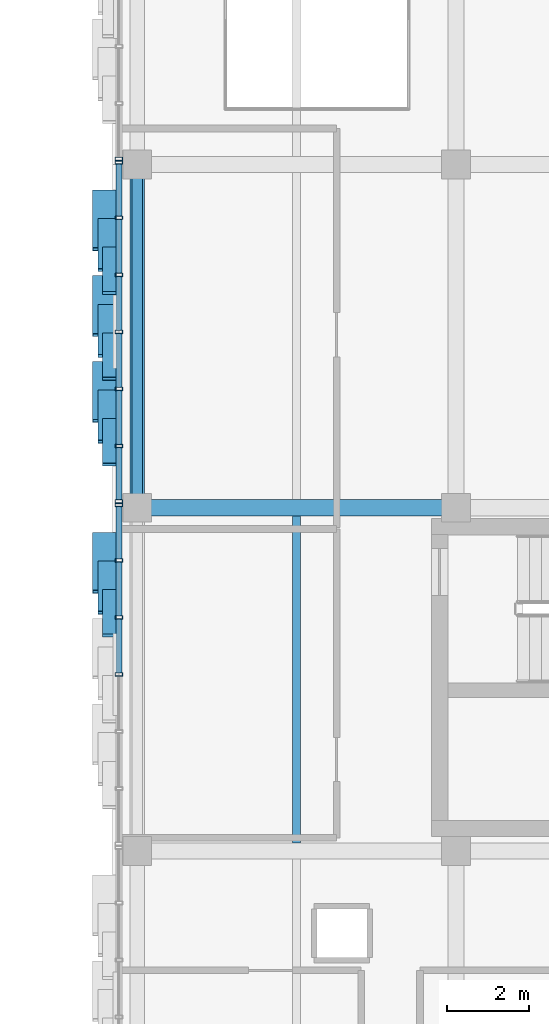
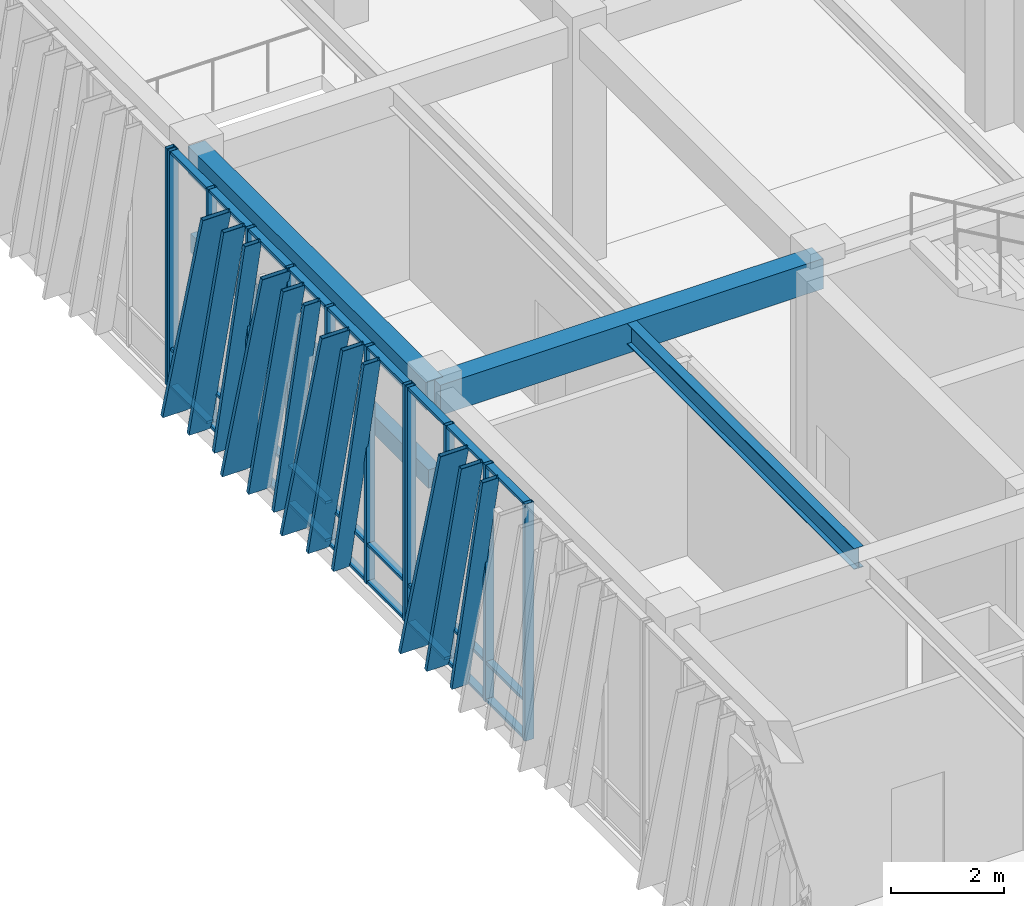
# One storey, part 33 of 139: 51 members, 4 beams, 3 elements without a shape of their own.
"""IFC4 building model written with IfcOpenShell, lengths in metres."""

from ifc_helpers import new_model, si_unit, direction, frame, origin, origin_2d, place, context, subcontext, project, spatial, rectangle, hollow_rectangle, i_section, extrude, material, layer, layer_set, material_profile, profile_set, type_object, element, aggregate, save


model = new_model("IFC4")

# Units and contexts
model_context = context("Model", 3, precision=1e-05, world=origin(), true_north=direction((0.0, 1.0)))
body_context = subcontext(model_context, "Body", "Model", "MODEL_VIEW")
ifc_project = project(units=[si_unit("LENGTHUNIT", "METRE"), si_unit("AREAUNIT", "SQUARE_METRE"), si_unit("VOLUMEUNIT", "CUBIC_METRE"), si_unit("PLANEANGLEUNIT", "RADIAN"), si_unit("MASSUNIT", "GRAM", prefix="KILO")], contexts=[model_context])

# Site, building, storey
site_placement = place(None, origin())
site = spatial("IfcSite", under=ifc_project, at=site_placement, CompositionType="ELEMENT")
building_placement = place(site_placement, origin())
building = spatial("IfcBuilding", under=site, at=building_placement, Name="Zayran Congress Hotel", CompositionType="ELEMENT")
storey_placement = place(building_placement, frame((0.0, 0.0, 5.39990234375)))
storey = spatial("IfcBuildingStorey", under=building, at=storey_placement, Name="L01", CompositionType="ELEMENT", Elevation=5.39990234375)

# Beams
ifc_material_1 = material(Name="Concrete C40/50", Category="concrete")
ifc_material_profile_1 = material_profile(ifc_material_1, rectangle(XDim=0.39990234375, YDim=0.64990234375, at=origin_2d()), Name="RC 400x650")
ifc_profile_set_1 = profile_set([ifc_material_profile_1], Name="Concrete C40/50")
beam_type_1 = type_object("IfcBeamType", Name="TP-BM-03", PredefinedType="BEAM", material=ifc_profile_set_1)
beam_1_placement = place(storey_placement, frame((109.800048828125, 59.199951171875, 4.775146484375), z_axis=(1.0, 0.0, 0.0), x_axis=(0.0, 1.0, 0.0)))
element("IfcBeam", 1, at=beam_1_placement, inside=storey, type_object=beam_type_1, Name="BM-V4-L01-1316", PredefinedType="BEAM", context=body_context, shape_type="SweptSolid", body=[
    extrude(rectangle(XDim=0.39990234375, YDim=0.64990234375, at=origin_2d()), origin(), (0.0, 0.0, 1.0), 7.800048828125),
])
ifc_material_profile_2 = material_profile(ifc_material_1, rectangle(XDim=0.35009765625, YDim=0.60009765625, at=origin_2d()), Name="RC 350x600")
ifc_profile_set_2 = profile_set([ifc_material_profile_2], Name="Concrete C40/50")
beam_type_2 = type_object("IfcBeamType", Name="TP-SP-01", PredefinedType="SPANDREL", material=ifc_profile_set_2)
beam_2_placement = place(storey_placement, frame((109.800048828125, 59.199951171875, 4.800048828125), z_axis=(0.0, 1.0, 0.0), x_axis=(-1.0, 0.0, 0.0)))
element("IfcBeam", 2, at=beam_2_placement, inside=storey, type_object=beam_type_2, Name="BM-V4-L01-1346", PredefinedType="SPANDREL", context=body_context, shape_type="SweptSolid", body=[
    extrude(rectangle(XDim=0.35009765625, YDim=0.60009765625, at=origin_2d()), origin(), (0.0, 0.0, 1.0), 8.400146484375),
])
ifc_material_profile_3 = material_profile(ifc_material_1, rectangle(XDim=0.25, YDim=0.39990234375, at=origin_2d()), Name="RC 250x400")
ifc_profile_set_3 = profile_set([ifc_material_profile_3], Name="Concrete C40/50")
beam_type_3 = type_object("IfcBeamType", Name="TP-LN-01", PredefinedType="LINTEL", material=ifc_profile_set_3)
beam_3_placement = place(storey_placement, frame((109.800048828125, 59.199951171875, 3.0), z_axis=(0.0, 1.0, 0.0), x_axis=(-1.0, 0.0, 0.0)))
element("IfcBeam", 3, at=beam_3_placement, inside=storey, type_object=beam_type_3, Name="BM-LIN-08", PredefinedType="LINTEL", context=body_context, shape_type="SweptSolid", body=[
    extrude(rectangle(XDim=0.25, YDim=0.39990234375, at=origin_2d()), origin(), (0.0, 0.0, 1.0), 8.400146484375),
])
ifc_material_2 = material(Name="Steel S355", Category="steel")
ifc_material_profile_4 = material_profile(ifc_material_2, i_section(OverallWidth=0.18994140625, OverallDepth=0.449951171875, WebThickness=0.009521484375, FlangeThickness=0.0146484375, at=origin_2d()), Name="IPE 450")
ifc_profile_set_4 = profile_set([ifc_material_profile_4], Name="Steel S355")
beam_type_4 = type_object("IfcBeamType", Name="TP-JS-02", PredefinedType="JOIST", material=ifc_profile_set_4)
beam_4_placement = place(storey_placement, frame((113.699951171875, 51.0, 4.875), z_axis=(0.0, 1.0, 0.0), x_axis=(-1.0, 0.0, 0.0)))
element("IfcBeam", 4, at=beam_4_placement, inside=storey, type_object=beam_type_4, Name="JST-V4-L01-1383", PredefinedType="JOIST", context=body_context, shape_type="SweptSolid", body=[
    extrude(i_section(OverallWidth=0.18994140625, OverallDepth=0.449951171875, WebThickness=0.009521484375, FlangeThickness=0.0146484375, at=origin_2d()), origin(), (0.0, 0.0, 1.0), 8.0),
])

# Curtain wall, members
ifc_material_3 = material(Name="Anodised aluminium and low-E insulated glass", Category="aluminium")
ifc_layer_1 = layer(ifc_material_3, 0.179931640625)
ifc_layer_set_1 = layer_set([ifc_layer_1], Name="Anodised aluminium and low-E insulated glass")
curtain_wall_type_1 = type_object("IfcCurtainWallType", Name="CW-V4W-L01-CW-52-8371-5100", PredefinedType="USERDEFINED", material=ifc_layer_set_1)
curtain_wall_1_placement = place(storey_placement, origin())
curtain_wall_1 = element("IfcCurtainWall", 5, at=curtain_wall_1_placement, inside=storey, type_object=curtain_wall_type_1, Name="CW-V4W-L01-1", ObjectType="CURTAIN WALL", PredefinedType="USERDEFINED")
ifc_material_4 = material(Name="Anodised aluminium framing", Category="aluminium")
ifc_material_profile_5 = material_profile(ifc_material_4, hollow_rectangle(XDim=0.080078125, YDim=0.179931640625, WallThickness=0.0048828125, at=origin_2d()), Name="RHS 180x80x5")
ifc_profile_set_5 = profile_set([ifc_material_profile_5], Name="Anodised aluminium framing")
member_type_1 = type_object("IfcMemberType", Name="TP-CWM-01", PredefinedType="MULLION", material=ifc_profile_set_5)
member_1_placement = place(storey_placement, frame((109.35009765625, 59.26708984375, 0.0), z_axis=(0.0, 0.0, 1.0), x_axis=(0.0, 1.0, 0.0)))
member_1 = element("IfcMember", 6, at=member_1_placement, type_object=member_type_1, Name="CW-V4W-L01-1-M00", PredefinedType="MULLION", context=body_context, shape_type="SweptSolid", body=[
    extrude(hollow_rectangle(XDim=0.080078125, YDim=0.179931640625, WallThickness=0.0048828125, at=origin_2d()), origin(), (0.0, 0.0, 1.0), 5.10009765625),
])
member_2_placement = place(storey_placement, frame((109.35009765625, 57.911865234375, 0.0), z_axis=(0.0, 0.0, 1.0), x_axis=(0.0, 1.0, 0.0)))
member_2 = element("IfcMember", 7, at=member_2_placement, type_object=member_type_1, Name="CW-V4W-L01-1-M01", PredefinedType="MULLION", context=body_context, shape_type="SweptSolid", body=[
    extrude(hollow_rectangle(XDim=0.080078125, YDim=0.179931640625, WallThickness=0.0048828125, at=origin_2d()), origin(), (0.0, 0.0, 1.0), 5.10009765625),
])
member_3_placement = place(storey_placement, frame((109.35009765625, 56.5166015625, 0.0), z_axis=(0.0, 0.0, 1.0), x_axis=(0.0, 1.0, 0.0)))
member_3 = element("IfcMember", 8, at=member_3_placement, type_object=member_type_1, Name="CW-V4W-L01-1-M02", PredefinedType="MULLION", context=body_context, shape_type="SweptSolid", body=[
    extrude(hollow_rectangle(XDim=0.080078125, YDim=0.179931640625, WallThickness=0.0048828125, at=origin_2d()), origin(), (0.0, 0.0, 1.0), 5.10009765625),
])
member_4_placement = place(storey_placement, frame((109.35009765625, 55.12158203125, 0.0), z_axis=(0.0, 0.0, 1.0), x_axis=(0.0, 1.0, 0.0)))
member_4 = element("IfcMember", 9, at=member_4_placement, type_object=member_type_1, Name="CW-V4W-L01-1-M03", PredefinedType="MULLION", context=body_context, shape_type="SweptSolid", body=[
    extrude(hollow_rectangle(XDim=0.080078125, YDim=0.179931640625, WallThickness=0.0048828125, at=origin_2d()), origin(), (0.0, 0.0, 1.0), 5.10009765625),
])

ifc_layer_2 = layer(ifc_material_3, 0.179931640625)
ifc_layer_set_2 = layer_set([ifc_layer_2], Name="Anodised aluminium and low-E insulated glass")
curtain_wall_type_2 = type_object("IfcCurtainWallType", Name="CW-V4W-L01-CW-53-8372-5100", PredefinedType="USERDEFINED", material=ifc_layer_set_2)
curtain_wall_2_placement = place(storey_placement, origin())
curtain_wall_2 = element("IfcCurtainWall", 10, at=curtain_wall_2_placement, inside=storey, type_object=curtain_wall_type_2, Name="CW-V4W-L01-2", ObjectType="CURTAIN WALL", PredefinedType="USERDEFINED")
member_5_placement = place(storey_placement, frame((109.35009765625, 67.64892578125, 0.0), z_axis=(0.0, 0.0, 1.0), x_axis=(0.0, 1.0, 0.0)))
member_5 = element("IfcMember", 11, at=member_5_placement, type_object=member_type_1, Name="CW-V4W-L01-2-M00", PredefinedType="MULLION", context=body_context, shape_type="SweptSolid", body=[
    extrude(hollow_rectangle(XDim=0.080078125, YDim=0.179931640625, WallThickness=0.0048828125, at=origin_2d()), origin(), (0.0, 0.0, 1.0), 5.10009765625),
])
member_6_placement = place(storey_placement, frame((109.35009765625, 66.293701171875, 0.0), z_axis=(0.0, 0.0, 1.0), x_axis=(0.0, 1.0, 0.0)))
member_6 = element("IfcMember", 12, at=member_6_placement, type_object=member_type_1, Name="CW-V4W-L01-2-M01", PredefinedType="MULLION", context=body_context, shape_type="SweptSolid", body=[
    extrude(hollow_rectangle(XDim=0.080078125, YDim=0.179931640625, WallThickness=0.0048828125, at=origin_2d()), origin(), (0.0, 0.0, 1.0), 5.10009765625),
])
member_7_placement = place(storey_placement, frame((109.35009765625, 64.898193359375, 0.0), z_axis=(0.0, 0.0, 1.0), x_axis=(0.0, 1.0, 0.0)))
member_7 = element("IfcMember", 13, at=member_7_placement, type_object=member_type_1, Name="CW-V4W-L01-2-M02", PredefinedType="MULLION", context=body_context, shape_type="SweptSolid", body=[
    extrude(hollow_rectangle(XDim=0.080078125, YDim=0.179931640625, WallThickness=0.0048828125, at=origin_2d()), origin(), (0.0, 0.0, 1.0), 5.10009765625),
])
member_8_placement = place(storey_placement, frame((109.35009765625, 63.5029296875, 0.0), z_axis=(0.0, 0.0, 1.0), x_axis=(0.0, 1.0, 0.0)))
member_8 = element("IfcMember", 14, at=member_8_placement, type_object=member_type_1, Name="CW-V4W-L01-2-M03", PredefinedType="MULLION", context=body_context, shape_type="SweptSolid", body=[
    extrude(hollow_rectangle(XDim=0.080078125, YDim=0.179931640625, WallThickness=0.0048828125, at=origin_2d()), origin(), (0.0, 0.0, 1.0), 5.10009765625),
])
member_9_placement = place(storey_placement, frame((109.35009765625, 62.107666015625, 0.0), z_axis=(0.0, 0.0, 1.0), x_axis=(0.0, 1.0, 0.0)))
member_9 = element("IfcMember", 15, at=member_9_placement, type_object=member_type_1, Name="CW-V4W-L01-2-M04", PredefinedType="MULLION", context=body_context, shape_type="SweptSolid", body=[
    extrude(hollow_rectangle(XDim=0.080078125, YDim=0.179931640625, WallThickness=0.0048828125, at=origin_2d()), origin(), (0.0, 0.0, 1.0), 5.10009765625),
])
member_10_placement = place(storey_placement, frame((109.35009765625, 60.71240234375, 0.0), z_axis=(0.0, 0.0, 1.0), x_axis=(0.0, 1.0, 0.0)))
member_10 = element("IfcMember", 16, at=member_10_placement, type_object=member_type_1, Name="CW-V4W-L01-2-M05", PredefinedType="MULLION", context=body_context, shape_type="SweptSolid", body=[
    extrude(hollow_rectangle(XDim=0.080078125, YDim=0.179931640625, WallThickness=0.0048828125, at=origin_2d()), origin(), (0.0, 0.0, 1.0), 5.10009765625),
])
member_11_placement = place(storey_placement, frame((109.35009765625, 59.35693359375, 0.0), z_axis=(0.0, 0.0, 1.0), x_axis=(0.0, 1.0, 0.0)))
member_11 = element("IfcMember", 17, at=member_11_placement, type_object=member_type_1, Name="CW-V4W-L01-2-M06", PredefinedType="MULLION", context=body_context, shape_type="SweptSolid", body=[
    extrude(hollow_rectangle(XDim=0.080078125, YDim=0.179931640625, WallThickness=0.0048828125, at=origin_2d()), origin(), (0.0, 0.0, 1.0), 5.10009765625),
])

# Curtain wall, member
ifc_layer_3 = layer(ifc_material_3, 0.179931640625)
ifc_layer_set_3 = layer_set([ifc_layer_3], Name="Anodised aluminium and low-E insulated glass")
curtain_wall_type_3 = type_object("IfcCurtainWallType", Name="CW-V4W-L01-CW-51-8371-5100", PredefinedType="USERDEFINED", material=ifc_layer_set_3)
curtain_wall_3_placement = place(storey_placement, origin())
curtain_wall_3 = element("IfcCurtainWall", 18, at=curtain_wall_3_placement, inside=storey, type_object=curtain_wall_type_3, Name="CW-V4W-L01-3", ObjectType="CURTAIN WALL", PredefinedType="USERDEFINED")
member_12_placement = place(storey_placement, frame((109.35009765625, 67.739013671875, 0.0), z_axis=(0.0, 0.0, 1.0), x_axis=(0.0, 1.0, 0.0)))
member_12 = element("IfcMember", 19, at=member_12_placement, type_object=member_type_1, Name="CW-V4W-L01-3-M06", PredefinedType="MULLION", context=body_context, shape_type="SweptSolid", body=[
    extrude(hollow_rectangle(XDim=0.080078125, YDim=0.179931640625, WallThickness=0.0048828125, at=origin_2d()), origin(), (0.0, 0.0, 1.0), 5.10009765625),
])
aggregate(curtain_wall_3, [member_12])

# Member
ifc_material_profile_6 = material_profile(ifc_material_4, hollow_rectangle(XDim=0.06005859375, YDim=0.14990234375, WallThickness=0.00390625, at=origin_2d()), Name="RHS 150x60x4")
ifc_profile_set_6 = profile_set([ifc_material_profile_6], Name="Anodised aluminium framing")
member_type_2 = type_object("IfcMemberType", Name="TP-CWT-01", PredefinedType="USERDEFINED", material=ifc_profile_set_6)
member_13_placement = place(storey_placement, frame((109.35009765625, 59.22705078125, 0.030029296875), z_axis=(0.0, -1.0, 0.0), x_axis=(0.0, 0.0, 1.0)))
member_13 = element("IfcMember", 20, at=member_13_placement, type_object=member_type_2, Name="CW-V4W-L01-1-T00-0", ObjectType="TRANSOM", PredefinedType="USERDEFINED", context=body_context, shape_type="SweptSolid", body=[
    extrude(hollow_rectangle(XDim=0.06005859375, YDim=0.14990234375, WallThickness=0.00390625, at=origin_2d()), origin(), (0.0, 0.0, 1.0), 1.275146484375),
])

member_14_placement = place(storey_placement, frame((109.35009765625, 59.22705078125, 0.840087890625), z_axis=(0.0, -1.0, 0.0), x_axis=(0.0, 0.0, 1.0)))
member_14 = element("IfcMember", 21, at=member_14_placement, type_object=member_type_2, Name="CW-V4W-L01-1-T00-1", ObjectType="TRANSOM", PredefinedType="USERDEFINED", context=body_context, shape_type="SweptSolid", body=[
    extrude(hollow_rectangle(XDim=0.06005859375, YDim=0.14990234375, WallThickness=0.00390625, at=origin_2d()), origin(), (0.0, 0.0, 1.0), 1.275146484375),
])

member_15_placement = place(storey_placement, frame((109.35009765625, 59.22705078125, 5.070068359375), z_axis=(0.0, -1.0, 0.0), x_axis=(0.0, 0.0, 1.0)))
member_15 = element("IfcMember", 22, at=member_15_placement, type_object=member_type_2, Name="CW-V4W-L01-1-T00-2", ObjectType="TRANSOM", PredefinedType="USERDEFINED", context=body_context, shape_type="SweptSolid", body=[
    extrude(hollow_rectangle(XDim=0.06005859375, YDim=0.14990234375, WallThickness=0.00390625, at=origin_2d()), origin(), (0.0, 0.0, 1.0), 1.275146484375),
])

member_16_placement = place(storey_placement, frame((109.35009765625, 57.871826171875, 0.030029296875), z_axis=(0.0, -1.0, 0.0), x_axis=(0.0, 0.0, 1.0)))
member_16 = element("IfcMember", 23, at=member_16_placement, type_object=member_type_2, Name="CW-V4W-L01-1-T01-0", ObjectType="TRANSOM", PredefinedType="USERDEFINED", context=body_context, shape_type="SweptSolid", body=[
    extrude(hollow_rectangle(XDim=0.06005859375, YDim=0.14990234375, WallThickness=0.00390625, at=origin_2d()), origin(), (0.0, 0.0, 1.0), 1.315185546875),
])

member_17_placement = place(storey_placement, frame((109.35009765625, 57.871826171875, 0.840087890625), z_axis=(0.0, -1.0, 0.0), x_axis=(0.0, 0.0, 1.0)))
member_17 = element("IfcMember", 24, at=member_17_placement, type_object=member_type_2, Name="CW-V4W-L01-1-T01-1", ObjectType="TRANSOM", PredefinedType="USERDEFINED", context=body_context, shape_type="SweptSolid", body=[
    extrude(hollow_rectangle(XDim=0.06005859375, YDim=0.14990234375, WallThickness=0.00390625, at=origin_2d()), origin(), (0.0, 0.0, 1.0), 1.315185546875),
])

member_18_placement = place(storey_placement, frame((109.35009765625, 57.871826171875, 5.070068359375), z_axis=(0.0, -1.0, 0.0), x_axis=(0.0, 0.0, 1.0)))
member_18 = element("IfcMember", 25, at=member_18_placement, type_object=member_type_2, Name="CW-V4W-L01-1-T01-2", ObjectType="TRANSOM", PredefinedType="USERDEFINED", context=body_context, shape_type="SweptSolid", body=[
    extrude(hollow_rectangle(XDim=0.06005859375, YDim=0.14990234375, WallThickness=0.00390625, at=origin_2d()), origin(), (0.0, 0.0, 1.0), 1.315185546875),
])

member_19_placement = place(storey_placement, frame((109.35009765625, 56.476806640625, 0.030029296875), z_axis=(0.0, -1.0, 0.0), x_axis=(0.0, 0.0, 1.0)))
member_19 = element("IfcMember", 26, at=member_19_placement, type_object=member_type_2, Name="CW-V4W-L01-1-T02-0", ObjectType="TRANSOM", PredefinedType="USERDEFINED", context=body_context, shape_type="SweptSolid", body=[
    extrude(hollow_rectangle(XDim=0.06005859375, YDim=0.14990234375, WallThickness=0.00390625, at=origin_2d()), origin(), (0.0, 0.0, 1.0), 1.315185546875),
])

member_20_placement = place(storey_placement, frame((109.35009765625, 56.476806640625, 0.840087890625), z_axis=(0.0, -1.0, 0.0), x_axis=(0.0, 0.0, 1.0)))
member_20 = element("IfcMember", 27, at=member_20_placement, type_object=member_type_2, Name="CW-V4W-L01-1-T02-1", ObjectType="TRANSOM", PredefinedType="USERDEFINED", context=body_context, shape_type="SweptSolid", body=[
    extrude(hollow_rectangle(XDim=0.06005859375, YDim=0.14990234375, WallThickness=0.00390625, at=origin_2d()), origin(), (0.0, 0.0, 1.0), 1.315185546875),
])

member_21_placement = place(storey_placement, frame((109.35009765625, 56.476806640625, 5.070068359375), z_axis=(0.0, -1.0, 0.0), x_axis=(0.0, 0.0, 1.0)))
member_21 = element("IfcMember", 28, at=member_21_placement, type_object=member_type_2, Name="CW-V4W-L01-1-T02-2", ObjectType="TRANSOM", PredefinedType="USERDEFINED", context=body_context, shape_type="SweptSolid", body=[
    extrude(hollow_rectangle(XDim=0.06005859375, YDim=0.14990234375, WallThickness=0.00390625, at=origin_2d()), origin(), (0.0, 0.0, 1.0), 1.315185546875),
])

member_22_placement = place(storey_placement, frame((109.35009765625, 67.60888671875, 0.030029296875), z_axis=(0.0, -1.0, 0.0), x_axis=(0.0, 0.0, 1.0)))
member_22 = element("IfcMember", 29, at=member_22_placement, type_object=member_type_2, Name="CW-V4W-L01-2-T00-0", ObjectType="TRANSOM", PredefinedType="USERDEFINED", context=body_context, shape_type="SweptSolid", body=[
    extrude(hollow_rectangle(XDim=0.06005859375, YDim=0.14990234375, WallThickness=0.00390625, at=origin_2d()), origin(), (0.0, 0.0, 1.0), 1.275146484375),
])

member_23_placement = place(storey_placement, frame((109.35009765625, 67.60888671875, 0.840087890625), z_axis=(0.0, -1.0, 0.0), x_axis=(0.0, 0.0, 1.0)))
member_23 = element("IfcMember", 30, at=member_23_placement, type_object=member_type_2, Name="CW-V4W-L01-2-T00-1", ObjectType="TRANSOM", PredefinedType="USERDEFINED", context=body_context, shape_type="SweptSolid", body=[
    extrude(hollow_rectangle(XDim=0.06005859375, YDim=0.14990234375, WallThickness=0.00390625, at=origin_2d()), origin(), (0.0, 0.0, 1.0), 1.275146484375),
])

member_24_placement = place(storey_placement, frame((109.35009765625, 67.60888671875, 5.070068359375), z_axis=(0.0, -1.0, 0.0), x_axis=(0.0, 0.0, 1.0)))
member_24 = element("IfcMember", 31, at=member_24_placement, type_object=member_type_2, Name="CW-V4W-L01-2-T00-2", ObjectType="TRANSOM", PredefinedType="USERDEFINED", context=body_context, shape_type="SweptSolid", body=[
    extrude(hollow_rectangle(XDim=0.06005859375, YDim=0.14990234375, WallThickness=0.00390625, at=origin_2d()), origin(), (0.0, 0.0, 1.0), 1.275146484375),
])

member_25_placement = place(storey_placement, frame((109.35009765625, 66.253662109375, 0.030029296875), z_axis=(0.0, -1.0, 0.0), x_axis=(0.0, 0.0, 1.0)))
member_25 = element("IfcMember", 32, at=member_25_placement, type_object=member_type_2, Name="CW-V4W-L01-2-T01-0", ObjectType="TRANSOM", PredefinedType="USERDEFINED", context=body_context, shape_type="SweptSolid", body=[
    extrude(hollow_rectangle(XDim=0.06005859375, YDim=0.14990234375, WallThickness=0.00390625, at=origin_2d()), origin(), (0.0, 0.0, 1.0), 1.3154296875),
])

member_26_placement = place(storey_placement, frame((109.35009765625, 66.253662109375, 0.840087890625), z_axis=(0.0, -1.0, 0.0), x_axis=(0.0, 0.0, 1.0)))
member_26 = element("IfcMember", 33, at=member_26_placement, type_object=member_type_2, Name="CW-V4W-L01-2-T01-1", ObjectType="TRANSOM", PredefinedType="USERDEFINED", context=body_context, shape_type="SweptSolid", body=[
    extrude(hollow_rectangle(XDim=0.06005859375, YDim=0.14990234375, WallThickness=0.00390625, at=origin_2d()), origin(), (0.0, 0.0, 1.0), 1.3154296875),
])

member_27_placement = place(storey_placement, frame((109.35009765625, 66.253662109375, 5.070068359375), z_axis=(0.0, -1.0, 0.0), x_axis=(0.0, 0.0, 1.0)))
member_27 = element("IfcMember", 34, at=member_27_placement, type_object=member_type_2, Name="CW-V4W-L01-2-T01-2", ObjectType="TRANSOM", PredefinedType="USERDEFINED", context=body_context, shape_type="SweptSolid", body=[
    extrude(hollow_rectangle(XDim=0.06005859375, YDim=0.14990234375, WallThickness=0.00390625, at=origin_2d()), origin(), (0.0, 0.0, 1.0), 1.3154296875),
])

member_28_placement = place(storey_placement, frame((109.35009765625, 64.8583984375, 0.030029296875), z_axis=(0.0, -1.0, 0.0), x_axis=(0.0, 0.0, 1.0)))
member_28 = element("IfcMember", 35, at=member_28_placement, type_object=member_type_2, Name="CW-V4W-L01-2-T02-0", ObjectType="TRANSOM", PredefinedType="USERDEFINED", context=body_context, shape_type="SweptSolid", body=[
    extrude(hollow_rectangle(XDim=0.06005859375, YDim=0.14990234375, WallThickness=0.00390625, at=origin_2d()), origin(), (0.0, 0.0, 1.0), 1.3154296875),
])

member_29_placement = place(storey_placement, frame((109.35009765625, 64.8583984375, 0.840087890625), z_axis=(0.0, -1.0, 0.0), x_axis=(0.0, 0.0, 1.0)))
member_29 = element("IfcMember", 36, at=member_29_placement, type_object=member_type_2, Name="CW-V4W-L01-2-T02-1", ObjectType="TRANSOM", PredefinedType="USERDEFINED", context=body_context, shape_type="SweptSolid", body=[
    extrude(hollow_rectangle(XDim=0.06005859375, YDim=0.14990234375, WallThickness=0.00390625, at=origin_2d()), origin(), (0.0, 0.0, 1.0), 1.3154296875),
])

member_30_placement = place(storey_placement, frame((109.35009765625, 64.8583984375, 5.070068359375), z_axis=(0.0, -1.0, 0.0), x_axis=(0.0, 0.0, 1.0)))
member_30 = element("IfcMember", 37, at=member_30_placement, type_object=member_type_2, Name="CW-V4W-L01-2-T02-2", ObjectType="TRANSOM", PredefinedType="USERDEFINED", context=body_context, shape_type="SweptSolid", body=[
    extrude(hollow_rectangle(XDim=0.06005859375, YDim=0.14990234375, WallThickness=0.00390625, at=origin_2d()), origin(), (0.0, 0.0, 1.0), 1.3154296875),
])

member_31_placement = place(storey_placement, frame((109.35009765625, 63.462890625, 0.030029296875), z_axis=(0.0, -1.0, 0.0), x_axis=(0.0, 0.0, 1.0)))
member_31 = element("IfcMember", 38, at=member_31_placement, type_object=member_type_2, Name="CW-V4W-L01-2-T03-0", ObjectType="TRANSOM", PredefinedType="USERDEFINED", context=body_context, shape_type="SweptSolid", body=[
    extrude(hollow_rectangle(XDim=0.06005859375, YDim=0.14990234375, WallThickness=0.00390625, at=origin_2d()), origin(), (0.0, 0.0, 1.0), 1.315185546875),
])

member_32_placement = place(storey_placement, frame((109.35009765625, 63.462890625, 0.840087890625), z_axis=(0.0, -1.0, 0.0), x_axis=(0.0, 0.0, 1.0)))
member_32 = element("IfcMember", 39, at=member_32_placement, type_object=member_type_2, Name="CW-V4W-L01-2-T03-1", ObjectType="TRANSOM", PredefinedType="USERDEFINED", context=body_context, shape_type="SweptSolid", body=[
    extrude(hollow_rectangle(XDim=0.06005859375, YDim=0.14990234375, WallThickness=0.00390625, at=origin_2d()), origin(), (0.0, 0.0, 1.0), 1.315185546875),
])

member_33_placement = place(storey_placement, frame((109.35009765625, 63.462890625, 5.070068359375), z_axis=(0.0, -1.0, 0.0), x_axis=(0.0, 0.0, 1.0)))
member_33 = element("IfcMember", 40, at=member_33_placement, type_object=member_type_2, Name="CW-V4W-L01-2-T03-2", ObjectType="TRANSOM", PredefinedType="USERDEFINED", context=body_context, shape_type="SweptSolid", body=[
    extrude(hollow_rectangle(XDim=0.06005859375, YDim=0.14990234375, WallThickness=0.00390625, at=origin_2d()), origin(), (0.0, 0.0, 1.0), 1.315185546875),
])

member_34_placement = place(storey_placement, frame((109.35009765625, 62.067626953125, 0.030029296875), z_axis=(0.0, -1.0, 0.0), x_axis=(0.0, 0.0, 1.0)))
member_34 = element("IfcMember", 41, at=member_34_placement, type_object=member_type_2, Name="CW-V4W-L01-2-T04-0", ObjectType="TRANSOM", PredefinedType="USERDEFINED", context=body_context, shape_type="SweptSolid", body=[
    extrude(hollow_rectangle(XDim=0.06005859375, YDim=0.14990234375, WallThickness=0.00390625, at=origin_2d()), origin(), (0.0, 0.0, 1.0), 1.3154296875),
])

member_35_placement = place(storey_placement, frame((109.35009765625, 62.067626953125, 0.840087890625), z_axis=(0.0, -1.0, 0.0), x_axis=(0.0, 0.0, 1.0)))
member_35 = element("IfcMember", 42, at=member_35_placement, type_object=member_type_2, Name="CW-V4W-L01-2-T04-1", ObjectType="TRANSOM", PredefinedType="USERDEFINED", context=body_context, shape_type="SweptSolid", body=[
    extrude(hollow_rectangle(XDim=0.06005859375, YDim=0.14990234375, WallThickness=0.00390625, at=origin_2d()), origin(), (0.0, 0.0, 1.0), 1.3154296875),
])

member_36_placement = place(storey_placement, frame((109.35009765625, 62.067626953125, 5.070068359375), z_axis=(0.0, -1.0, 0.0), x_axis=(0.0, 0.0, 1.0)))
member_36 = element("IfcMember", 43, at=member_36_placement, type_object=member_type_2, Name="CW-V4W-L01-2-T04-2", ObjectType="TRANSOM", PredefinedType="USERDEFINED", context=body_context, shape_type="SweptSolid", body=[
    extrude(hollow_rectangle(XDim=0.06005859375, YDim=0.14990234375, WallThickness=0.00390625, at=origin_2d()), origin(), (0.0, 0.0, 1.0), 1.3154296875),
])

member_37_placement = place(storey_placement, frame((109.35009765625, 60.67236328125, 0.030029296875), z_axis=(0.0, -1.0, 0.0), x_axis=(0.0, 0.0, 1.0)))
member_37 = element("IfcMember", 44, at=member_37_placement, type_object=member_type_2, Name="CW-V4W-L01-2-T05-0", ObjectType="TRANSOM", PredefinedType="USERDEFINED", context=body_context, shape_type="SweptSolid", body=[
    extrude(hollow_rectangle(XDim=0.06005859375, YDim=0.14990234375, WallThickness=0.00390625, at=origin_2d()), origin(), (0.0, 0.0, 1.0), 1.275390625),
])

member_38_placement = place(storey_placement, frame((109.35009765625, 60.67236328125, 0.840087890625), z_axis=(0.0, -1.0, 0.0), x_axis=(0.0, 0.0, 1.0)))
member_38 = element("IfcMember", 45, at=member_38_placement, type_object=member_type_2, Name="CW-V4W-L01-2-T05-1", ObjectType="TRANSOM", PredefinedType="USERDEFINED", context=body_context, shape_type="SweptSolid", body=[
    extrude(hollow_rectangle(XDim=0.06005859375, YDim=0.14990234375, WallThickness=0.00390625, at=origin_2d()), origin(), (0.0, 0.0, 1.0), 1.275390625),
])

member_39_placement = place(storey_placement, frame((109.35009765625, 60.67236328125, 5.070068359375), z_axis=(0.0, -1.0, 0.0), x_axis=(0.0, 0.0, 1.0)))
member_39 = element("IfcMember", 46, at=member_39_placement, type_object=member_type_2, Name="CW-V4W-L01-2-T05-2", ObjectType="TRANSOM", PredefinedType="USERDEFINED", context=body_context, shape_type="SweptSolid", body=[
    extrude(hollow_rectangle(XDim=0.06005859375, YDim=0.14990234375, WallThickness=0.00390625, at=origin_2d()), origin(), (0.0, 0.0, 1.0), 1.275390625),
])

ifc_material_5 = material(Name="Warm bronze anodised aluminium", Category="aluminium")
ifc_material_profile_7 = material_profile(ifc_material_5, hollow_rectangle(XDim=0.080078125, YDim=0.580078125, WallThickness=0.006103515625, at=origin_2d()), Name="RHS 580x80x6")
ifc_profile_set_7 = profile_set([ifc_material_profile_7], Name="Warm bronze anodised aluminium")
member_type_3 = type_object("IfcMemberType", Name="TP-RFN-01", PredefinedType="MULLION", material=ifc_profile_set_7)
member_40_placement = place(storey_placement, frame((109.0, 58.556884765625, 0.0), z_axis=(0.0, -0.267225109087, 0.963634132372), x_axis=(0.0, 0.963634132372, 0.267225109087)))
member_40 = element("IfcMember", 47, at=member_40_placement, type_object=member_type_3, Name="Slanting Reed Mullion CW-52-01", PredefinedType="MULLION", context=body_context, shape_type="SweptSolid", body=[
    extrude(hollow_rectangle(XDim=0.080078125, YDim=0.580078125, WallThickness=0.006103515625, at=origin_2d()), origin(), (0.0, 0.0, 1.0), 5.29248046875),
])

member_41_placement = place(storey_placement, frame((109.0, 66.93896484375, 0.0), z_axis=(0.0, -0.267225109087, 0.963634132372), x_axis=(0.0, 0.963634132372, 0.267225109087)))
member_41 = element("IfcMember", 48, at=member_41_placement, type_object=member_type_3, Name="Slanting Reed Mullion CW-53-01", PredefinedType="MULLION", context=body_context, shape_type="SweptSolid", body=[
    extrude(hollow_rectangle(XDim=0.080078125, YDim=0.580078125, WallThickness=0.006103515625, at=origin_2d()), origin(), (0.0, 0.0, 1.0), 5.29248046875),
])

member_42_placement = place(storey_placement, frame((109.0, 64.839111328125, 0.0), z_axis=(0.0, -0.267267943227, 0.963622253024), x_axis=(0.0, 0.963622253024, 0.267267943227)))
member_42 = element("IfcMember", 49, at=member_42_placement, type_object=member_type_3, Name="Slanting Reed Mullion CW-53-04", PredefinedType="MULLION", context=body_context, shape_type="SweptSolid", body=[
    extrude(hollow_rectangle(XDim=0.080078125, YDim=0.580078125, WallThickness=0.006103515625, at=origin_2d()), origin(), (0.0, 0.0, 1.0), 5.292724609375),
])

member_43_placement = place(storey_placement, frame((109.0, 62.739013671875, 0.0), z_axis=(0.0, -0.267225109087, 0.963634132372), x_axis=(0.0, 0.963634132372, 0.267225109087)))
member_43 = element("IfcMember", 50, at=member_43_placement, type_object=member_type_3, Name="Slanting Reed Mullion CW-53-07", PredefinedType="MULLION", context=body_context, shape_type="SweptSolid", body=[
    extrude(hollow_rectangle(XDim=0.080078125, YDim=0.580078125, WallThickness=0.006103515625, at=origin_2d()), origin(), (0.0, 0.0, 1.0), 5.29248046875),
])

ifc_material_profile_8 = material_profile(ifc_material_5, hollow_rectangle(XDim=0.080078125, YDim=0.449951171875, WallThickness=0.006103515625, at=origin_2d()), Name="RHS 450x80x6")
ifc_profile_set_8 = profile_set([ifc_material_profile_8], Name="Warm bronze anodised aluminium")
member_type_4 = type_object("IfcMemberType", Name="TP-RFN-02", PredefinedType="MULLION", material=ifc_profile_set_8)
member_44_placement = place(storey_placement, frame((109.06494140625, 57.85693359375, 0.0), z_axis=(0.0, -0.233434569046, 0.972372511939), x_axis=(0.0, 0.972372511939, 0.233434569046)))
member_44 = element("IfcMember", 51, at=member_44_placement, type_object=member_type_4, Name="Slanting Reed Mullion CW-52-02", PredefinedType="MULLION", context=body_context, shape_type="SweptSolid", body=[
    extrude(hollow_rectangle(XDim=0.080078125, YDim=0.449951171875, WallThickness=0.006103515625, at=origin_2d()), origin(), (0.0, 0.0, 1.0), 5.2451171875),
])

member_45_placement = place(storey_placement, frame((109.06494140625, 66.239013671875, 0.0), z_axis=(0.0, -0.233434569046, 0.972372511939), x_axis=(0.0, 0.972372511939, 0.233434569046)))
member_45 = element("IfcMember", 52, at=member_45_placement, type_object=member_type_4, Name="Slanting Reed Mullion CW-53-02", PredefinedType="MULLION", context=body_context, shape_type="SweptSolid", body=[
    extrude(hollow_rectangle(XDim=0.080078125, YDim=0.449951171875, WallThickness=0.006103515625, at=origin_2d()), origin(), (0.0, 0.0, 1.0), 5.2451171875),
])

member_46_placement = place(storey_placement, frame((109.06494140625, 64.138916015625, 0.0), z_axis=(0.0, -0.233434569046, 0.972372511939), x_axis=(0.0, 0.972372511939, 0.233434569046)))
member_46 = element("IfcMember", 53, at=member_46_placement, type_object=member_type_4, Name="Slanting Reed Mullion CW-53-05", PredefinedType="MULLION", context=body_context, shape_type="SweptSolid", body=[
    extrude(hollow_rectangle(XDim=0.080078125, YDim=0.449951171875, WallThickness=0.006103515625, at=origin_2d()), origin(), (0.0, 0.0, 1.0), 5.2451171875),
])

member_47_placement = place(storey_placement, frame((109.06494140625, 62.0390625, 0.0), z_axis=(0.0, -0.233434569046, 0.972372511939), x_axis=(0.0, 0.972372511939, 0.233434569046)))
member_47 = element("IfcMember", 54, at=member_47_placement, type_object=member_type_4, Name="Slanting Reed Mullion CW-53-08", PredefinedType="MULLION", context=body_context, shape_type="SweptSolid", body=[
    extrude(hollow_rectangle(XDim=0.080078125, YDim=0.449951171875, WallThickness=0.006103515625, at=origin_2d()), origin(), (0.0, 0.0, 1.0), 5.2451171875),
])

ifc_material_profile_9 = material_profile(ifc_material_5, hollow_rectangle(XDim=0.080078125, YDim=0.340087890625, WallThickness=0.006103515625, at=origin_2d()), Name="RHS 340x80x6")
ifc_profile_set_9 = profile_set([ifc_material_profile_9], Name="Warm bronze anodised aluminium")
member_type_5 = type_object("IfcMemberType", Name="TP-RFN-03", PredefinedType="MULLION", material=ifc_profile_set_9)
member_48_placement = place(storey_placement, frame((109.1201171875, 57.156982421875, 0.0), z_axis=(0.0, -0.207897956377, 0.978150519979), x_axis=(0.0, 0.978150519979, 0.207897956377)))
member_48 = element("IfcMember", 55, at=member_48_placement, type_object=member_type_5, Name="Slanting Reed Mullion CW-52-03", PredefinedType="MULLION", context=body_context, shape_type="SweptSolid", body=[
    extrude(hollow_rectangle(XDim=0.080078125, YDim=0.340087890625, WallThickness=0.006103515625, at=origin_2d()), origin(), (0.0, 0.0, 1.0), 5.214111328125),
])

aggregate(curtain_wall_1, [member_1, member_2, member_3, member_4, member_13, member_14, member_15, member_16, member_17, member_18, member_19, member_20, member_21, member_40, member_44, member_48])

member_49_placement = place(storey_placement, frame((109.1201171875, 65.5390625, 0.0), z_axis=(0.0, -0.207897956377, 0.978150519979), x_axis=(0.0, 0.978150519979, 0.207897956377)))
member_49 = element("IfcMember", 56, at=member_49_placement, type_object=member_type_5, Name="Slanting Reed Mullion CW-53-03", PredefinedType="MULLION", context=body_context, shape_type="SweptSolid", body=[
    extrude(hollow_rectangle(XDim=0.080078125, YDim=0.340087890625, WallThickness=0.006103515625, at=origin_2d()), origin(), (0.0, 0.0, 1.0), 5.214111328125),
])

member_50_placement = place(storey_placement, frame((109.1201171875, 63.43896484375, 0.0), z_axis=(0.0, -0.207897956377, 0.978150519979), x_axis=(0.0, 0.978150519979, 0.207897956377)))
member_50 = element("IfcMember", 57, at=member_50_placement, type_object=member_type_5, Name="Slanting Reed Mullion CW-53-06", PredefinedType="MULLION", context=body_context, shape_type="SweptSolid", body=[
    extrude(hollow_rectangle(XDim=0.080078125, YDim=0.340087890625, WallThickness=0.006103515625, at=origin_2d()), origin(), (0.0, 0.0, 1.0), 5.214111328125),
])

member_51_placement = place(storey_placement, frame((109.1201171875, 61.339111328125, 0.0), z_axis=(0.0, -0.207942755786, 0.978140997155), x_axis=(0.0, 0.978140997155, 0.207942755786)))
member_51 = element("IfcMember", 58, at=member_51_placement, type_object=member_type_5, Name="Slanting Reed Mullion CW-53-09", PredefinedType="MULLION", context=body_context, shape_type="SweptSolid", body=[
    extrude(hollow_rectangle(XDim=0.080078125, YDim=0.340087890625, WallThickness=0.006103515625, at=origin_2d()), origin(), (0.0, 0.0, 1.0), 5.214111328125),
])

aggregate(curtain_wall_2, [member_5, member_6, member_7, member_8, member_9, member_10, member_11, member_22, member_23, member_24, member_25, member_26, member_27, member_28, member_29, member_30, member_31, member_32, member_33, member_34, member_35, member_36, member_37, member_38, member_39, member_41, member_45, member_49, member_42, member_46, member_50, member_43, member_47, member_51])

save(model, "model.ifc")
